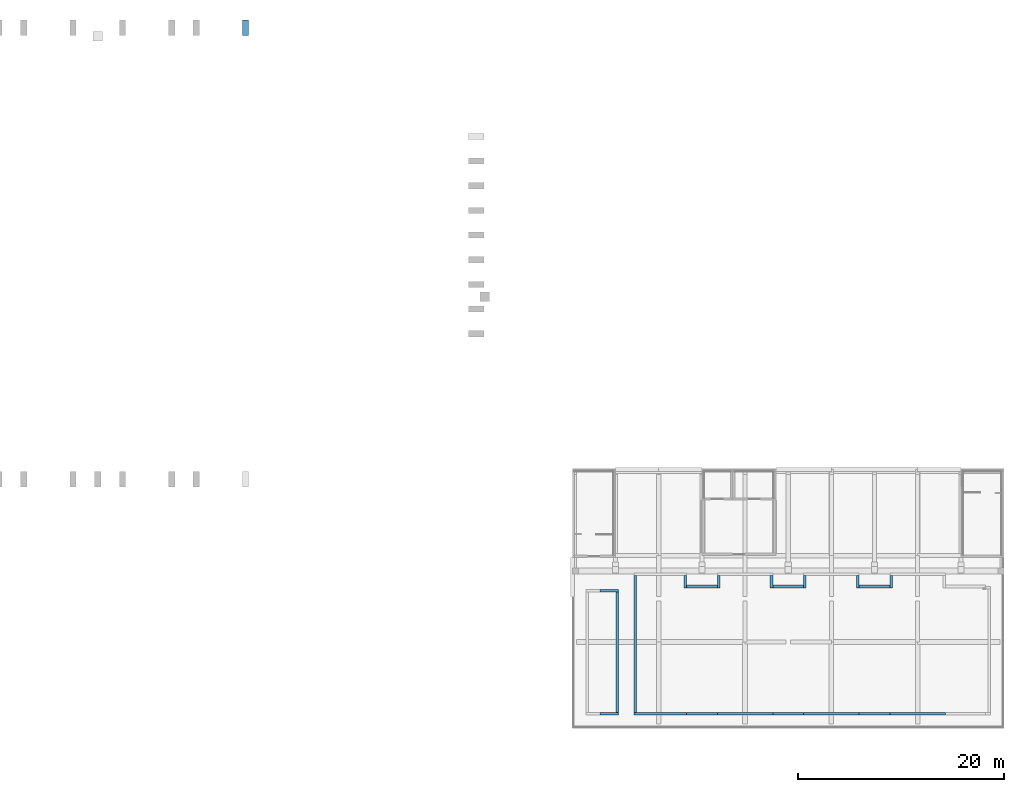
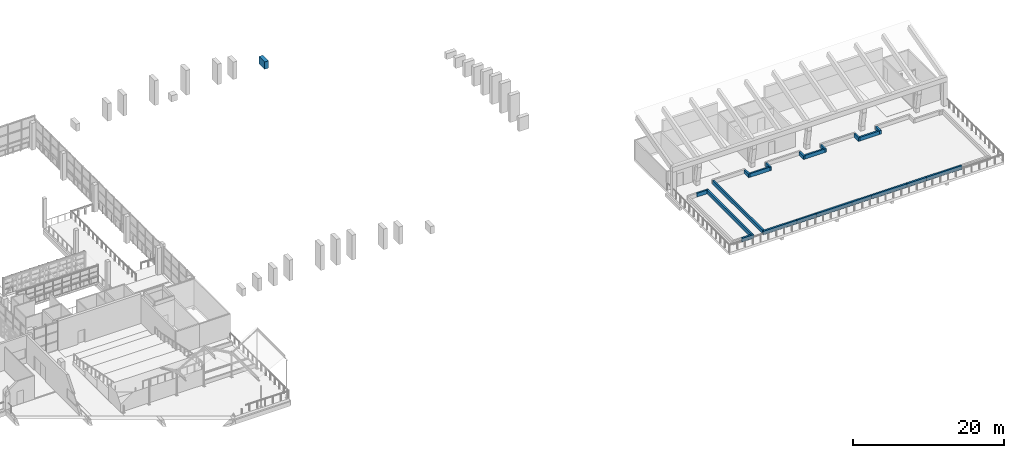
# One storey, part 49 of 67: 21 walls.
"""IFC4 building model written with IfcOpenShell, lengths in metres."""

import ifcopenshell
import ifcopenshell.guid

model = None  # the IFC model being written
_history = None  # IfcOwnerHistory: only IFC2X3 demands one
_inside = {}  # id of a spatial element -> (the spatial element, [elements in it])
_under = {}  # id of a project, library or spatial element -> (it, [spatial elements below it])
_declared = {}  # id of a project -> (the project, [libraries it declares])
_typed = {}  # id of a type object -> (the type object, [elements of that type])
_made_of = {}  # id of a material, layer set ... -> (it, [elements and type objects made of it])


def new_model(schema):
    """Start an empty IFC model of exactly this schema.

    Asked for "IFC4X3", IfcOpenShell would pick the latest addendum, in which some entities
    have other attributes; the version numbers below select the first issue.
    IFC2X3 requires an IfcOwnerHistory on every rooted entity: one is made here for all.
    """
    global model, _history
    if schema == "IFC4X3":
        model = ifcopenshell.file(schema_version=(4, 3, 0, 0))
    else:
        model = ifcopenshell.file(schema=schema)
    _inside.clear()
    _under.clear()
    _declared.clear()
    _typed.clear()
    _made_of.clear()
    _history = None
    if model.schema == "IFC2X3":
        org = make("IfcOrganization", Name="unknown")
        user = make(
            "IfcPersonAndOrganization",
            ThePerson=make("IfcPerson", FamilyName="unknown"),
            TheOrganization=org,
        )
        app = make(
            "IfcApplication",
            ApplicationDeveloper=org,
            Version="unknown",
            ApplicationFullName="unknown",
            ApplicationIdentifier="unknown",
        )
        _history = make(
            "IfcOwnerHistory",
            OwningUser=user,
            OwningApplication=app,
            ChangeAction="ADDED",
            CreationDate=0,
        )
    return model


def make(cls, **values):
    """One entity of the class cls with the attributes given. An attribute that is None is left unset."""
    return model.create_entity(
        cls, **{name: value for name, value in values.items() if value is not None}
    )


def rooted(cls, **values):
    """An entity with a GlobalId (a new one), such as an element, a storey or a relation."""
    return make(cls, GlobalId=ifcopenshell.guid.new(), OwnerHistory=_history, **values)


def si_unit(unit_type, name, prefix=None):
    """IfcSIUnit, for example si_unit("LENGTHUNIT", "METRE", prefix="MILLI")."""
    return make("IfcSIUnit", UnitType=unit_type, Prefix=prefix, Name=name)


def assignment(units):
    """IfcUnitAssignment: the units of a project."""
    return None if units is None else make("IfcUnitAssignment", Units=units)


def point(xyz):
    """IfcCartesianPoint."""
    return None if xyz is None else make("IfcCartesianPoint", Coordinates=xyz)


def direction(xyz):
    """IfcDirection."""
    return None if xyz is None else make("IfcDirection", DirectionRatios=xyz)


def frame(location, z_axis=None, x_axis=None):
    """IfcAxis2Placement3D, a coordinate frame: its origin and axes. An axis left out is left unset."""
    return make(
        "IfcAxis2Placement3D",
        Location=point(location),
        Axis=direction(z_axis),
        RefDirection=direction(x_axis),
    )


def frame_2d(location, x_axis=None):
    """IfcAxis2Placement2D, a coordinate frame in the plane: its origin and x axis."""
    return make(
        "IfcAxis2Placement2D", Location=point(location), RefDirection=direction(x_axis)
    )


def origin():
    """The frame at (0, 0, 0) with its axes left unset."""
    return frame((0.0, 0.0, 0.0))


def place(relative_to, where):
    """IfcLocalPlacement: puts the frame where relative to a parent placement (None: the world)."""
    return make(
        "IfcLocalPlacement", PlacementRelTo=relative_to, RelativePlacement=where
    )


def context(
    kind, dimensions, precision=None, world=None, true_north=None, identifier=None
):
    """IfcGeometricRepresentationContext, for example the 3D "Model" context."""
    return make(
        "IfcGeometricRepresentationContext",
        ContextIdentifier=identifier,
        ContextType=kind,
        CoordinateSpaceDimension=dimensions,
        Precision=precision,
        WorldCoordinateSystem=world,
        TrueNorth=true_north,
    )


def subcontext(parent, identifier, kind, view, scale=None):
    """IfcGeometricRepresentationSubContext, for example "Body" below "Model"."""
    return make(
        "IfcGeometricRepresentationSubContext",
        ContextIdentifier=identifier,
        ContextType=kind,
        ParentContext=parent,
        TargetScale=scale,
        TargetView=view,
    )


def project(units=None, contexts=None):
    """IfcProject with its units and contexts."""
    return rooted(
        "IfcProject",
        Name="project",
        RepresentationContexts=contexts,
        UnitsInContext=assignment(units),
    )


def spatial(cls, under=None, at=None, **own):
    """A site, building, storey or space (cls), placed at a placement, below another one or the project."""
    s = rooted(cls, ObjectPlacement=at, **own)
    if under is not None:
        _under.setdefault(under.id(), (under, []))[1].append(s)
    return s


def profile(cls, at=None, kind="AREA", **sizes):
    """A parametric profile (cls). Its sizes go by their IFC names, for example OverallWidth=200.0."""
    return make(cls, ProfileType=kind, Position=at, **sizes)


def rectangle(**sizes):
    """IfcRectangleProfileDef."""
    return profile("IfcRectangleProfileDef", **sizes)


def extrude(swept, where, along, depth):
    """IfcExtrudedAreaSolid: the profile swept, set in the frame where, extruded along a direction by depth."""
    return make(
        "IfcExtrudedAreaSolid",
        SweptArea=swept,
        Position=where,
        ExtrudedDirection=direction(along),
        Depth=depth,
    )


def shape(context_of_items, identifier, shape_type, items):
    """IfcShapeRepresentation: the items that make up one representation, for example the "Body"."""
    return make(
        "IfcShapeRepresentation",
        ContextOfItems=context_of_items,
        RepresentationIdentifier=identifier,
        RepresentationType=shape_type,
        Items=items,
    )


def material(Name=None, Category=None):
    """IfcMaterial."""
    return make("IfcMaterial", Name=Name, Category=Category)


def layer(
    of_material, thickness, ventilated=None, Name=None, Category=None, Priority=None
):
    """IfcMaterialLayer: one layer of a wall or slab, of a material (None: an air gap)."""
    return make(
        "IfcMaterialLayer",
        Material=of_material,
        LayerThickness=thickness,
        IsVentilated=ventilated,
        Name=Name,
        Category=Category,
        Priority=Priority,
    )


def layer_set(layers, Name=None):
    """IfcMaterialLayerSet."""
    return make("IfcMaterialLayerSet", MaterialLayers=layers, LayerSetName=Name)


def made_of(thing, what):
    """Note that an element or type object is made of a material, layer set ...; save() writes the relation."""
    if what is not None:
        _made_of.setdefault(what.id(), (what, []))[1].append(thing)
    return thing


def type_object(cls, material=None, **own):
    """A type object (cls), such as IfcWallType, which elements share."""
    return made_of(rooted(cls, **own), material)


def element(
    cls,
    number,
    at=None,
    inside=None,
    cuts=None,
    type_object=None,
    material=None,
    context=None,
    identifier="Body",
    shape_type=None,
    held_by="IfcProductDefinitionShape",
    body=None,
    shapes=None,
    **own,
):
    """One element of the class cls, such as IfcWall. Its Tag is "e" and its number.

    at: its placement. inside: the storey or other place that contains it. cuts: it is an
    opening in that element (IfcRelVoidsElement). A single representation is given by context,
    identifier, shape_type and body (its items); several are given by shapes. held_by: the class
    of the entity that holds the representations. save() writes the other relations.
    """
    e = rooted(cls, Tag="e%d" % number, ObjectPlacement=at, **own)
    if body is not None:
        shapes = [shape(context, identifier, shape_type, body)]
    if shapes is not None:
        e.Representation = make(held_by, Representations=shapes)
    if inside is not None:
        _inside.setdefault(inside.id(), (inside, []))[1].append(e)
    if cuts is not None:
        rooted(
            "IfcRelVoidsElement", RelatingBuildingElement=cuts, RelatedOpeningElement=e
        )
    if type_object is not None:
        _typed.setdefault(type_object.id(), (type_object, []))[1].append(e)
    return made_of(e, material)


def aggregate(whole, parts):
    """IfcRelAggregates: a whole, such as a stair, and the parts it consists of."""
    return rooted("IfcRelAggregates", RelatingObject=whole, RelatedObjects=parts)


def save(model, path):
    """Write the relations noted so far, then the file.

    IfcRelAggregates (storeys below a building ...), IfcRelContainedInSpatialStructure (elements
    in a storey), IfcRelDefinesByType, IfcRelAssociatesMaterial and IfcRelDeclares: one each for
    every whole, place, type object, material and project.
    """
    for whole, parts in _under.values():
        aggregate(whole, parts)
    for where, things in _inside.values():
        rooted(
            "IfcRelContainedInSpatialStructure",
            RelatedElements=things,
            RelatingStructure=where,
        )
    for kind, things in _typed.values():
        rooted("IfcRelDefinesByType", RelatedObjects=things, RelatingType=kind)
    for what, things in _made_of.values():
        rooted("IfcRelAssociatesMaterial", RelatedObjects=things, RelatingMaterial=what)
    for by, libraries in _declared.values():
        rooted("IfcRelDeclares", RelatingContext=by, RelatedDefinitions=libraries)
    model.write(path)


model = new_model("IFC4")

# Units and contexts
model_context = context("Model", 3, precision=1e-05, world=origin(), true_north=direction((0.0, 1.0)))
body_context = subcontext(model_context, "Body", "Model", "MODEL_VIEW")
ifc_project = project(units=[si_unit("LENGTHUNIT", "METRE"), si_unit("AREAUNIT", "SQUARE_METRE"), si_unit("VOLUMEUNIT", "CUBIC_METRE"), si_unit("PLANEANGLEUNIT", "RADIAN"), si_unit("MASSUNIT", "GRAM", prefix="KILO")], contexts=[model_context])

# Site, building, storey
site_placement = place(None, origin())
site = spatial("IfcSite", under=ifc_project, at=site_placement, CompositionType="ELEMENT")
building_placement = place(site_placement, origin())
building = spatial("IfcBuilding", under=site, at=building_placement, Name="Kiln Court Media Centre", CompositionType="ELEMENT")
storey_placement = place(building_placement, frame((0.0, 0.0, 19.800048828125)))
storey = spatial("IfcBuildingStorey", under=building, at=storey_placement, Name="L04", CompositionType="ELEMENT", Elevation=19.800048828125)

# Walls
ifc_material_1 = material(Name="Concrete C30/37", Category="concrete")
ifc_layer_1 = layer(ifc_material_1, 0.25)
ifc_layer_set_1 = layer_set([ifc_layer_1], Name="Concrete C30/37 planter wall 250")
wall_type_1 = type_object("IfcWallType", Name="Concrete C30/37 planter wall 250", PredefinedType="PARAPET", material=ifc_layer_set_1)
for number, where, z_axis, x_axis, name in (
    (1, (128.699951171875, 1.425048828125, 0.0), (0.0, 0.0, 1.0), (1.0, 0.0, 0.0), "Roof garden planter 1.1 south wall"),
    (2, (128.699951171875, 13.375, 0.0), (0.0, 0.0, 1.0), (1.0, 0.0, 0.0), "Roof garden planter 1.1 north wall"),
):
    element("IfcWall", number, at=place(storey_placement, frame(where, z_axis=z_axis, x_axis=x_axis)), inside=storey, type_object=wall_type_1, Name=name, PredefinedType="PARAPET", context=body_context, shape_type="SweptSolid", body=[
        extrude(rectangle(XDim=1.800048828125, YDim=0.25, at=frame_2d((0.89990234375, 0.0))), origin(), (0.0, 0.0, 1.0), 0.599853515625),
    ])
wall_1_placement = place(storey_placement, frame((130.375, 1.550048828125, 0.0), z_axis=(0.0, 0.0, 1.0), x_axis=(0.0, 1.0, 0.0)))
element("IfcWall", 3, at=wall_1_placement, inside=storey, type_object=wall_type_1, Name="Roof garden planter 1.1 east wall", PredefinedType="PARAPET", context=body_context, shape_type="SweptSolid", body=[
    extrude(rectangle(XDim=11.699951171875, YDim=0.25, at=frame_2d((5.85009765625, 0.0))), origin(), (0.0, 0.0, 1.0), 0.599853515625),
])
for number, where, z_axis, x_axis, name in (
    (4, (153.89990234375, 13.79833984375, 0.0), (0.0, 0.0, 1.0), (1.0, 0.0, 0.0), "Roof garden planter 2.1 north wall"),
    (5, (145.5, 13.79833984375, 0.0), (0.0, 0.0, 1.0), (1.0, 0.0, 0.0), "Roof garden planter 2.1 north wall"),
    (6, (137.10009765625, 13.79833984375, 0.0), (0.0, 0.0, 1.0), (1.0, 0.0, 0.0), "Roof garden planter 2.1 north wall"),
):
    element("IfcWall", number, at=place(storey_placement, frame(where, z_axis=z_axis, x_axis=x_axis)), inside=storey, type_object=wall_type_1, Name=name, PredefinedType="PARAPET", context=body_context, shape_type="SweptSolid", body=[
        extrude(rectangle(XDim=3.0, YDim=0.25, at=frame_2d((1.5, 0.0))), origin(), (0.0, 0.0, 1.0), 0.599853515625),
    ])
wall_2_placement = place(storey_placement, frame((132.0, 1.425048828125, 0.0), z_axis=(0.0, 0.0, 1.0), x_axis=(1.0, 0.0, 0.0)))
element("IfcWall", 7, at=wall_2_placement, inside=storey, type_object=wall_type_1, Name="Roof garden planter 2.1 south wall", PredefinedType="PARAPET", context=body_context, shape_type="SweptSolid", body=[
    extrude(rectangle(XDim=5.10009765625, YDim=0.25, at=frame_2d((2.550048828125, 0.0))), origin(), (0.0, 0.0, 1.0), 0.599853515625),
])
wall_3_placement = place(storey_placement, frame((137.10009765625, 1.425048828125, 0.0), z_axis=(0.0, 0.0, 1.0), x_axis=(1.0, 0.0, 0.0)))
element("IfcWall", 8, at=wall_3_placement, inside=storey, type_object=wall_type_1, Name="Roof garden planter 2.1 south wall", PredefinedType="PARAPET", context=body_context, shape_type="SweptSolid", body=[
    extrude(rectangle(XDim=3.0, YDim=0.25, at=frame_2d((1.5, 0.0))), origin(), (0.0, 0.0, 1.0), 0.599853515625),
])
wall_4_placement = place(storey_placement, frame((140.10009765625, 1.425048828125, 0.0), z_axis=(0.0, 0.0, 1.0), x_axis=(1.0, 0.0, 0.0)))
element("IfcWall", 9, at=wall_4_placement, inside=storey, type_object=wall_type_1, Name="Roof garden planter 2.1 south wall", PredefinedType="PARAPET", context=body_context, shape_type="SweptSolid", body=[
    extrude(rectangle(XDim=5.39990234375, YDim=0.25, at=frame_2d((2.699951171875, 0.0))), origin(), (0.0, 0.0, 1.0), 0.599853515625),
])
wall_5_placement = place(storey_placement, frame((145.5, 1.425048828125, 0.0), z_axis=(0.0, 0.0, 1.0), x_axis=(1.0, 0.0, 0.0)))
element("IfcWall", 10, at=wall_5_placement, inside=storey, type_object=wall_type_1, Name="Roof garden planter 2.1 south wall", PredefinedType="PARAPET", context=body_context, shape_type="SweptSolid", body=[
    extrude(rectangle(XDim=3.0, YDim=0.25, at=frame_2d((1.5, 0.0))), origin(), (0.0, 0.0, 1.0), 0.599853515625),
])
wall_6_placement = place(storey_placement, frame((148.5, 1.425048828125, 0.0), z_axis=(0.0, 0.0, 1.0), x_axis=(1.0, 0.0, 0.0)))
element("IfcWall", 11, at=wall_6_placement, inside=storey, type_object=wall_type_1, Name="Roof garden planter 2.1 south wall", PredefinedType="PARAPET", context=body_context, shape_type="SweptSolid", body=[
    extrude(rectangle(XDim=5.39990234375, YDim=0.25, at=frame_2d((2.699951171875, 0.0))), origin(), (0.0, 0.0, 1.0), 0.599853515625),
])
wall_7_placement = place(storey_placement, frame((153.89990234375, 1.425048828125, 0.0), z_axis=(0.0, 0.0, 1.0), x_axis=(1.0, 0.0, 0.0)))
element("IfcWall", 12, at=wall_7_placement, inside=storey, type_object=wall_type_1, Name="Roof garden planter 2.1 south wall", PredefinedType="PARAPET", context=body_context, shape_type="SweptSolid", body=[
    extrude(rectangle(XDim=3.0, YDim=0.25, at=frame_2d((1.5, 0.0))), origin(), (0.0, 0.0, 1.0), 0.599853515625),
])
wall_8_placement = place(storey_placement, frame((156.89990234375, 1.425048828125, 0.0), z_axis=(0.0, 0.0, 1.0), x_axis=(1.0, 0.0, 0.0)))
element("IfcWall", 13, at=wall_8_placement, inside=storey, type_object=wall_type_1, Name="Roof garden planter 2.1 south wall", PredefinedType="PARAPET", context=body_context, shape_type="SweptSolid", body=[
    extrude(rectangle(XDim=5.400146484375, YDim=0.25, at=frame_2d((2.7001953125, 0.0))), origin(), (0.0, 0.0, 1.0), 0.599853515625),
])
wall_9_placement = place(storey_placement, frame((132.125, 1.550048828125, 0.0), z_axis=(0.0, 0.0, 1.0), x_axis=(0.0, 1.0, 0.0)))
element("IfcWall", 14, at=wall_9_placement, inside=storey, type_object=wall_type_1, Name="Roof garden planter 2.1 west wall", PredefinedType="PARAPET", context=body_context, shape_type="SweptSolid", body=[
    extrude(rectangle(XDim=13.300048828125, YDim=0.25, at=frame_2d((6.64990234375, 0.0))), origin(), (0.0, 0.0, 1.0), 0.599853515625),
])
for number, where, z_axis, x_axis, name in (
    (15, (136.97509765625, 13.67333984375, 0.0), (0.0, 0.0, 1.0), (0.0, 1.0, 0.0), "Roof garden planter 2.1 east wall"),
    (16, (140.22509765625, 13.67333984375, 0.0), (0.0, 0.0, 1.0), (0.0, 1.0, 0.0), "Roof garden planter 2.1 west wall"),
    (17, (145.375, 13.67333984375, 0.0), (0.0, 0.0, 1.0), (0.0, 1.0, 0.0), "Roof garden planter 2.1 east wall"),
    (18, (148.625, 13.67333984375, 0.0), (0.0, 0.0, 1.0), (0.0, 1.0, 0.0), "Roof garden planter 2.1 west wall"),
    (19, (153.77490234375, 13.67333984375, 0.0), (0.0, 0.0, 1.0), (0.0, 1.0, 0.0), "Roof garden planter 2.1 east wall"),
    (20, (157.02490234375, 13.67333984375, 0.0), (0.0, 0.0, 1.0), (0.0, 1.0, 0.0), "Roof garden planter 2.1 west wall"),
):
    element("IfcWall", number, at=place(storey_placement, frame(where, z_axis=z_axis, x_axis=x_axis)), inside=storey, type_object=wall_type_1, Name=name, PredefinedType="PARAPET", context=body_context, shape_type="SweptSolid", body=[
        extrude(rectangle(XDim=1.1767578125, YDim=0.25, at=frame_2d((0.58837890625, 0.0))), origin(), (0.0, 0.0, 1.0), 0.599853515625),
    ])
ifc_material_2 = material(Name="Concrete C40/50", Category="concrete")
ifc_layer_2 = layer(ifc_material_2, 0.60009765625)
ifc_layer_set_2 = layer_set([ifc_layer_2], Name="Concrete C40/50 cast rib 600x1500")
wall_type_2 = type_object("IfcWallType", Name="Concrete C40/50 cast rib 600x1500", PredefinedType="SOLIDWALL", material=ifc_layer_set_2)
wall_10_placement = place(storey_placement, frame((94.199951171875, 67.42626953125, 0.0), z_axis=(0.0, 0.0, 1.0), x_axis=(0.0, 1.0, 0.0)))
element("IfcWall", 21, at=wall_10_placement, inside=storey, type_object=wall_type_2, Name="V1 N gable rib", PredefinedType="SOLIDWALL", context=body_context, shape_type="SweptSolid", body=[
    extrude(rectangle(XDim=1.5, YDim=0.60009765625, at=frame_2d((0.75, 0.0))), origin(), (0.0, 0.0, 1.0), 1.179931640625),
])

save(model, "model.ifc")
